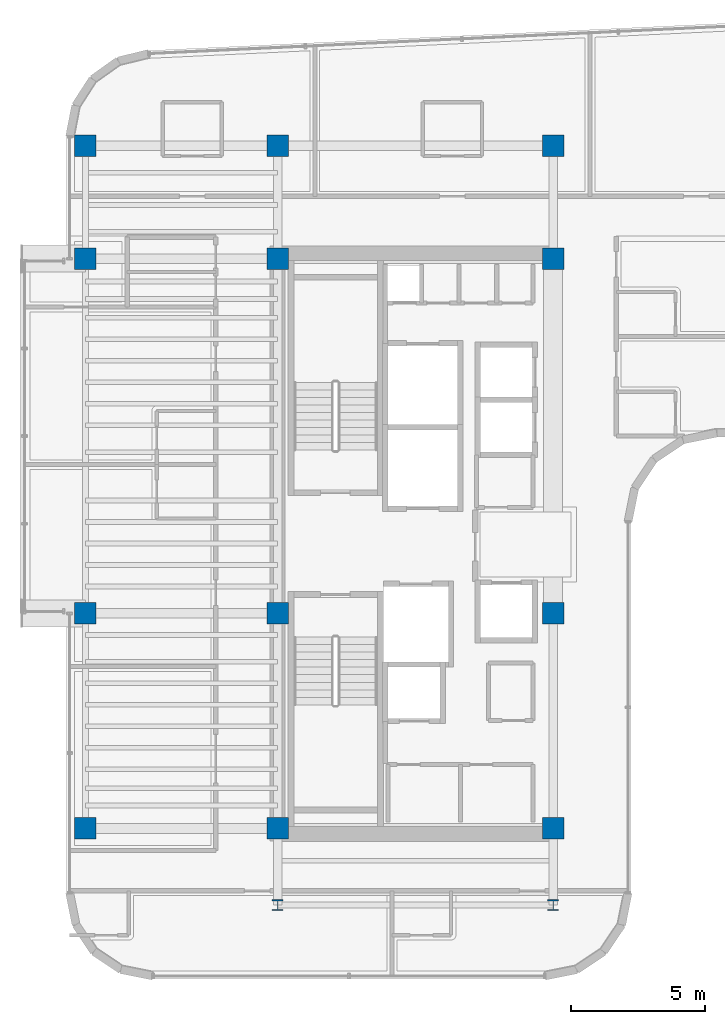
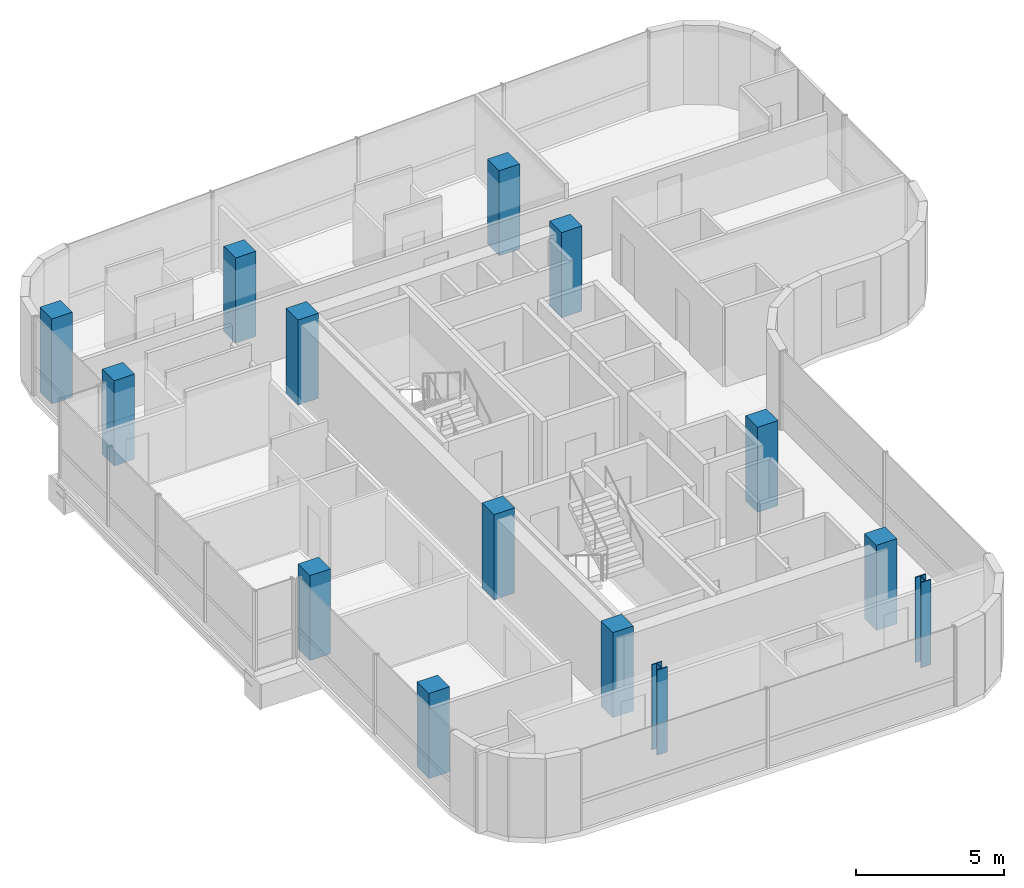
# One storey, part 1 of 20: 14 columns.
"""IFC4 building model written with IfcOpenShell, lengths in metres."""

from ifc_helpers import new_model, si_unit, direction, frame, origin, origin_2d, place, context, subcontext, project, spatial, rectangle, i_section, extrude, source, transform, mapped, material, material_profile, profile_set, type_object, element, save


model = new_model("IFC4")

# Units and contexts
model_context = context("Model", 3, precision=1e-05, world=origin(), true_north=direction((0.0, 1.0)))
body_context = subcontext(model_context, "Body", "Model", "MODEL_VIEW")
ifc_project = project(units=[si_unit("LENGTHUNIT", "METRE"), si_unit("AREAUNIT", "SQUARE_METRE"), si_unit("VOLUMEUNIT", "CUBIC_METRE"), si_unit("PLANEANGLEUNIT", "RADIAN"), si_unit("MASSUNIT", "GRAM", prefix="KILO")], contexts=[model_context])

# Site, building, storey
site_placement = place(None, origin())
site = spatial("IfcSite", under=ifc_project, at=site_placement, CompositionType="ELEMENT")
building_placement = place(site_placement, origin())
building = spatial("IfcBuilding", under=site, at=building_placement, Name="Valdorenza Pilgrim Sanctuary Tower", CompositionType="ELEMENT")
storey_placement = place(building_placement, frame((0.0, 0.0, 244.0)))
storey = spatial("IfcBuildingStorey", under=building, at=storey_placement, Name="L63", CompositionType="ELEMENT", Elevation=244.0)

# Columns
ifc_material_1 = material(Name="Concrete C50/60", Category="concrete")
ifc_material_profile_1 = material_profile(ifc_material_1, rectangle(XDim=0.800048828125, YDim=0.800048828125, at=origin_2d()), Name="RC 800x800")
ifc_profile_set_1 = profile_set([ifc_material_profile_1], Name="Concrete C50/60")
column_type_1 = type_object("IfcColumnType", Name="COL-Z4B-800", PredefinedType="COLUMN", material=ifc_profile_set_1)
shared_shape_1 = source(origin(), body_context, "Body", "SweptSolid", [
    extrude(rectangle(XDim=0.800048828125, YDim=0.800048828125, at=origin_2d()), origin(), (0.0, 0.0, 1.0), 3.5),
])
for number, where, z_axis, x_axis, name in (
    (1, (-29.800048828125, -10.60009765625, 0.0), (0.0, 0.0, 1.0), (1.0, 0.0, 0.0), "L63 Perimeter Column WA-W-S1"),
    (2, (-22.64990234375, -10.60009765625, 0.0), (0.0, 0.0, 1.0), (1.0, 0.0, 0.0), "L63 Column CA-W-S1"),
    (3, (-12.39990234375, -10.60009765625, 0.0), (0.0, 0.0, 1.0), (1.0, 0.0, 0.0), "L63 Column CA-E-S1"),
    (4, (-29.800048828125, -2.60009765625, 0.0), (0.0, 0.0, 1.0), (1.0, 0.0, 0.0), "L63 Perimeter Column WA-W-M0"),
    (5, (-22.64990234375, -2.60009765625, 0.0), (0.0, 0.0, 1.0), (1.0, 0.0, 0.0), "L63 Column CA-W-M0"),
    (6, (-12.39990234375, -2.60009765625, 0.0), (0.0, 0.0, 1.0), (1.0, 0.0, 0.0), "L63 Column CA-E-M0"),
    (7, (-29.800048828125, 10.60009765625, 0.0), (0.0, 0.0, 1.0), (1.0, 0.0, 0.0), "L63 Perimeter Column WA-W-N1"),
    (8, (-22.64990234375, 10.60009765625, 0.0), (0.0, 0.0, 1.0), (1.0, 0.0, 0.0), "L63 Column CA-W-N1"),
    (9, (-12.39990234375, 10.60009765625, 0.0), (0.0, 0.0, 1.0), (1.0, 0.0, 0.0), "L63 Column CA-E-N1"),
    (10, (-29.800048828125, 14.800048828125, 0.0), (0.0, 0.0, 1.0), (1.0, 0.0, 0.0), "L63 Perimeter Column WA-W-N2"),
    (11, (-22.64990234375, 14.800048828125, 0.0), (0.0, 0.0, 1.0), (1.0, 0.0, 0.0), "L63 Column CA-W-N2"),
    (12, (-12.39990234375, 14.800048828125, 0.0), (0.0, 0.0, 1.0), (1.0, 0.0, 0.0), "L63 Column CA-E-N2"),
):
    element("IfcColumn", number, at=place(storey_placement, frame(where, z_axis=z_axis, x_axis=x_axis)), inside=storey, type_object=column_type_1, Name=name, PredefinedType="COLUMN", context=body_context, shape_type="MappedRepresentation", body=[
        mapped(shared_shape_1, transform((0.0, 0.0, 0.0), x_axis=(1.0, 0.0, 0.0), y_axis=(0.0, 1.0, 0.0), z_axis=(0.0, 0.0, 1.0), scale=1.0)),
    ])
ifc_material_2 = material(Name="Steel ASTM A992 Grade 50", Category="steel")
ifc_material_profile_2 = material_profile(ifc_material_2, i_section(OverallWidth=0.40087890625, OverallDepth=0.39892578125, WebThickness=0.02490234375, FlangeThickness=0.03955078125, at=origin_2d()), Name="W14X211")
ifc_profile_set_2 = profile_set([ifc_material_profile_2], Name="Steel ASTM A992 Grade 50")
column_type_2 = type_object("IfcColumnType", Name="COL-STL-W211", PredefinedType="COLUMN", material=ifc_profile_set_2)
shared_shape_2 = source(origin(), body_context, "Body", "SweptSolid", [
    extrude(i_section(OverallWidth=0.40087890625, OverallDepth=0.39892578125, WebThickness=0.02490234375, FlangeThickness=0.03955078125, at=origin_2d()), origin(), (0.0, 0.0, 1.0), 3.5),
])
for number, where, z_axis, x_axis, name in (
    (13, (-22.64990234375, -13.449951171875, 0.0), (0.0, 0.0, 1.0), (1.0, 0.0, 0.0), "L63 Column WA-S-W"),
    (14, (-12.39990234375, -13.449951171875, 0.0), (0.0, 0.0, 1.0), (1.0, 0.0, 0.0), "L63 Column WA-S-E"),
):
    element("IfcColumn", number, at=place(storey_placement, frame(where, z_axis=z_axis, x_axis=x_axis)), inside=storey, type_object=column_type_2, Name=name, PredefinedType="COLUMN", context=body_context, shape_type="MappedRepresentation", body=[
        mapped(shared_shape_2, transform((0.0, 0.0, 0.0), x_axis=(1.0, 0.0, 0.0), y_axis=(0.0, 1.0, 0.0), z_axis=(0.0, 0.0, 1.0), scale=1.0)),
    ])

save(model, "model.ifc")
